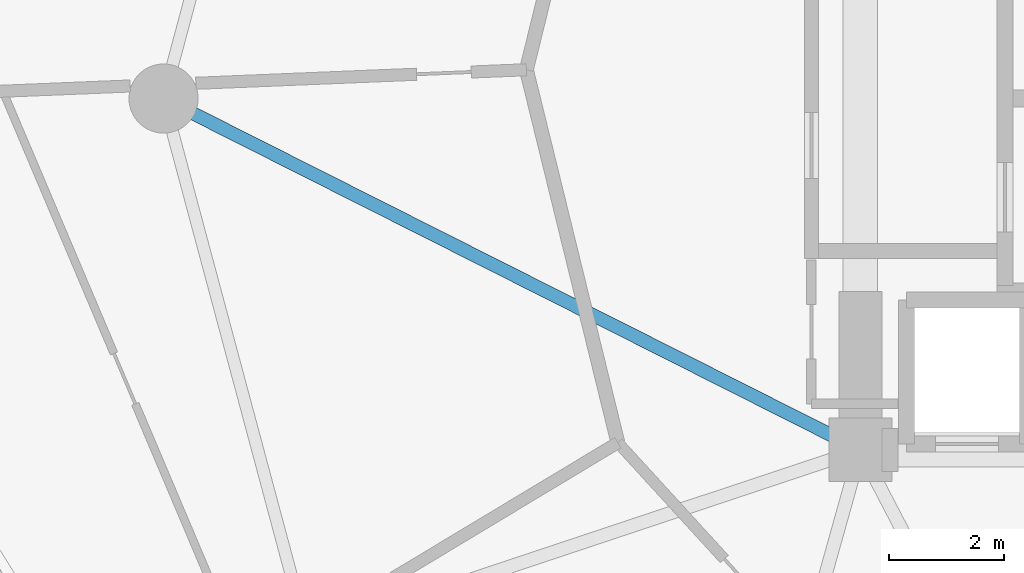
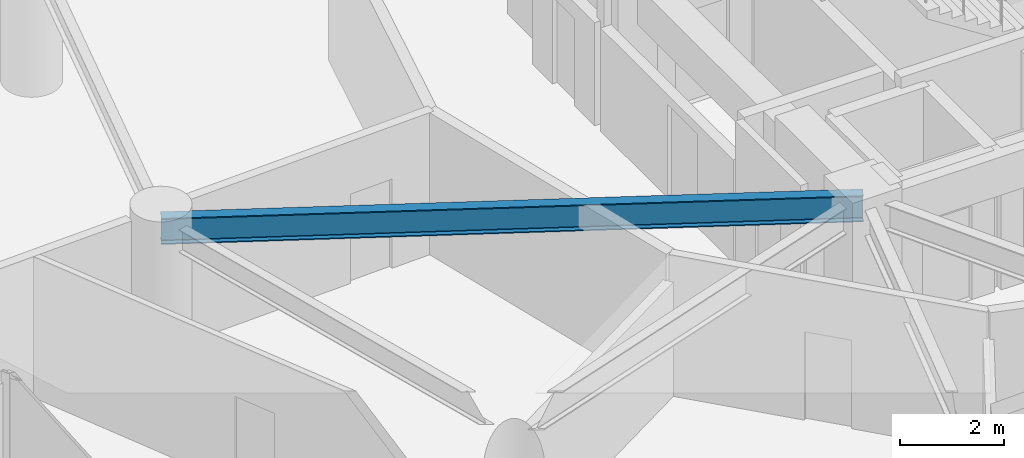
# One storey, part 6 of 24: 1 beam.
"""IFC4 building model written with IfcOpenShell, lengths in metres."""

from ifc_helpers import new_model, si_unit, direction, frame, origin, origin_2d, place, context, subcontext, project, spatial, i_section, extrude, material, material_profile, profile_set, type_object, element, save


model = new_model("IFC4")

# Units and contexts
model_context = context("Model", 3, precision=1e-05, world=origin(), true_north=direction((0.0, 1.0)))
body_context = subcontext(model_context, "Body", "Model", "MODEL_VIEW")
ifc_project = project(units=[si_unit("LENGTHUNIT", "METRE"), si_unit("AREAUNIT", "SQUARE_METRE"), si_unit("VOLUMEUNIT", "CUBIC_METRE"), si_unit("PLANEANGLEUNIT", "RADIAN"), si_unit("MASSUNIT", "GRAM", prefix="KILO")], contexts=[model_context])

# Site, building, storey
site_placement = place(None, origin())
site = spatial("IfcSite", under=ifc_project, at=site_placement, CompositionType="ELEMENT")
building_placement = place(site_placement, origin())
building = spatial("IfcBuilding", under=site, at=building_placement, Name="Solvirekh Grand Hotel", CompositionType="ELEMENT")
storey_placement = place(building_placement, frame((0.0, 0.0, 82.39990234375)))
storey = spatial("IfcBuildingStorey", under=building, at=storey_placement, Name="L20", CompositionType="ELEMENT", Elevation=82.39990234375)

# Beam
ifc_material = material(Name="Steel S355", Category="steel")
ifc_material_profile = material_profile(ifc_material, i_section(OverallWidth=0.22998046875, OverallDepth=0.615966796875, WebThickness=0.013916015625, FlangeThickness=0.02392578125, FilletRadius=0.014892578125, at=origin_2d()), Name="W610X174")
ifc_profile_set = profile_set([ifc_material_profile], Name="Steel S355")
beam_type = type_object("IfcBeamType", Name="Beam_Primary_W610H", PredefinedType="BEAM", material=ifc_profile_set)
beam_placement = place(storey_placement, frame((-6.5, -6.10009765625, 3.031982421875), z_axis=(-0.892944939011, 0.450165898191, 0.0), x_axis=(-0.450165898191, -0.892944939011, 0.0)))
element("IfcBeam", 1, at=beam_placement, inside=storey, type_object=beam_type, Name="L20 radial floor beam R07", PredefinedType="BEAM", context=body_context, shape_type="SweptSolid", body=[
    extrude(i_section(OverallWidth=0.22998046875, OverallDepth=0.615966796875, WebThickness=0.013916015625, FlangeThickness=0.02392578125, FilletRadius=0.014892578125, at=origin_2d()), origin(), (0.0, 0.0, 1.0), 13.55078125),
])

save(model, "model.ifc")
